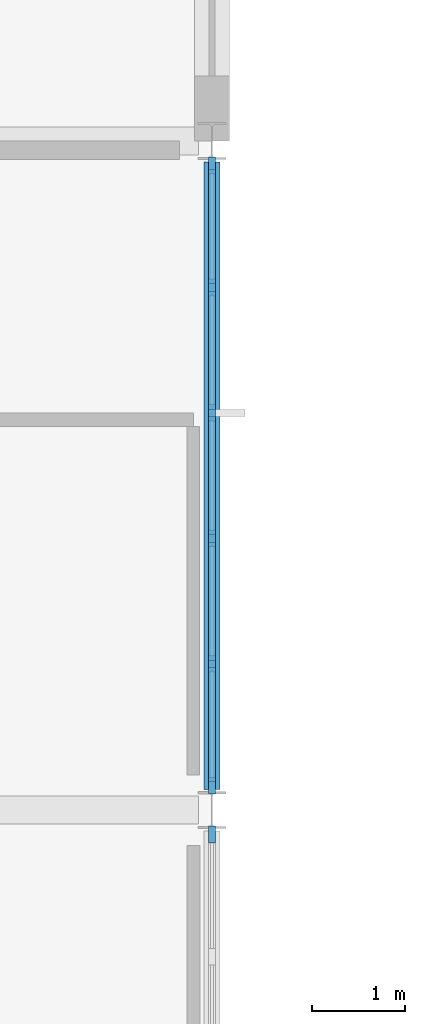
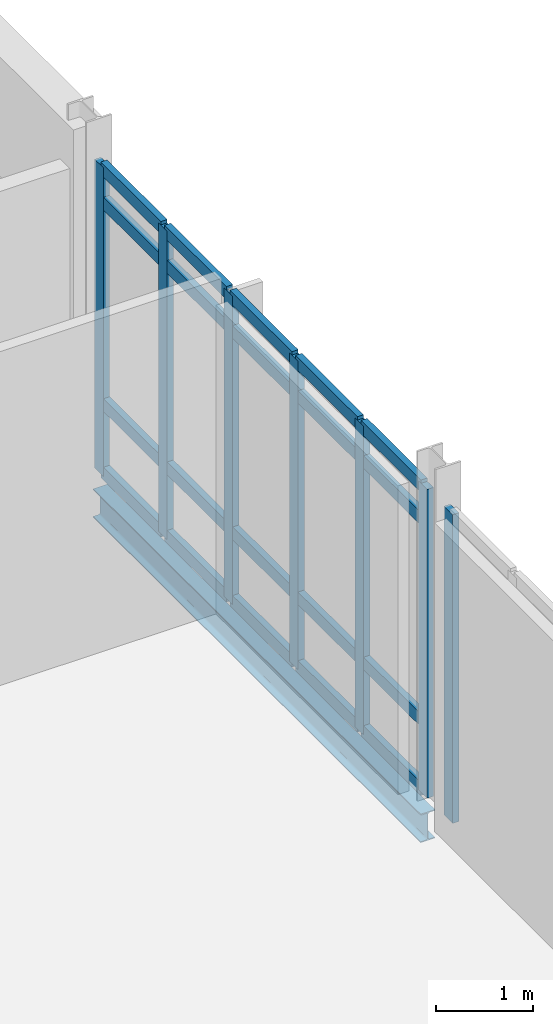
# One storey, part 33 of 72: 27 members, 1 beam, 2 elements without a shape of their own.
"""IFC4 building model written with IfcOpenShell, lengths in metres."""

from ifc_helpers import new_model, si_unit, direction, frame, origin, origin_2d, place, context, subcontext, project, spatial, rectangle, i_section, extrude, material, layer, layer_set, material_profile, profile_set, type_object, element, aggregate, save


model = new_model("IFC4")

# Units and contexts
model_context = context("Model", 3, precision=1e-05, world=origin(), true_north=direction((0.0, 1.0)))
body_context = subcontext(model_context, "Body", "Model", "MODEL_VIEW")
ifc_project = project(units=[si_unit("LENGTHUNIT", "METRE"), si_unit("AREAUNIT", "SQUARE_METRE"), si_unit("VOLUMEUNIT", "CUBIC_METRE"), si_unit("PLANEANGLEUNIT", "RADIAN"), si_unit("MASSUNIT", "GRAM", prefix="KILO")], contexts=[model_context])

# Site, building, storey
site_placement = place(None, origin())
site = spatial("IfcSite", under=ifc_project, at=site_placement, CompositionType="ELEMENT")
building_placement = place(site_placement, origin())
building = spatial("IfcBuilding", under=site, at=building_placement, Name="Zarrinpeak Specialist Clinic", CompositionType="ELEMENT")
storey_placement = place(building_placement, frame((0.0, 0.0, 9.60009765625)))
storey = spatial("IfcBuildingStorey", under=building, at=storey_placement, Name="L02", CompositionType="ELEMENT", Elevation=9.60009765625)

# Beam
ifc_material_1 = material(Name="Steel S355", Category="steel")
ifc_material_profile_1 = material_profile(ifc_material_1, i_section(OverallWidth=0.169921875, OverallDepth=0.360107421875, WebThickness=0.008056640625, FlangeThickness=0.0126953125, FilletRadius=0.01806640625, at=origin_2d()), Name="IPE 360")
ifc_profile_set_1 = profile_set([ifc_material_profile_1], Name="Steel S355")
beam_type = type_object("IfcBeamType", Name="BM-SP360", PredefinedType="SPANDREL", material=ifc_profile_set_1)
beam_placement = place(storey_placement, frame((64.800048828125, 96.623046875, -0.39501953125), z_axis=(0.0, 1.0, 0.0), x_axis=(-1.0, 0.0, 0.0)))
element("IfcBeam", 1, at=beam_placement, inside=storey, type_object=beam_type, Name="L02 Perimeter Spandrel Beam BM-L02-Y1312", PredefinedType="SPANDREL", context=body_context, shape_type="SweptSolid", body=[
    extrude(i_section(OverallWidth=0.169921875, OverallDepth=0.360107421875, WebThickness=0.008056640625, FlangeThickness=0.0126953125, FilletRadius=0.01806640625, at=origin_2d()), origin(), (0.0, 0.0, 1.0), 6.75390625),
])

# Curtain wall, member
ifc_material_2 = material(Name="Anodised Aluminium Alloy 6063-T6", Category="aluminium")
ifc_layer = layer(ifc_material_2, 0.1650390625)
ifc_layer_set = layer_set([ifc_layer], Name="Anodised Aluminium Alloy 6063-T6")
curtain_wall_type = type_object("IfcCurtainWallType", Name="CW-CLINIC", PredefinedType="NOTDEFINED", material=ifc_layer_set)
curtain_wall_1_placement = place(storey_placement, origin())
curtain_wall_1 = element("IfcCurtainWall", 2, at=curtain_wall_1_placement, inside=storey, type_object=curtain_wall_type, Name="L02 V6 Unitised Curtain Wall CW-L02-V6-145", PredefinedType="NOTDEFINED")
ifc_material_profile_2 = material_profile(ifc_material_2, rectangle(XDim=0.074951171875, YDim=0.179931640625, at=origin_2d()), Name="ALU 75x180")
ifc_profile_set_2 = profile_set([ifc_material_profile_2], Name="Anodised Aluminium Alloy 6063-T6")
member_type_1 = type_object("IfcMemberType", Name="CWM-75", PredefinedType="MULLION", material=ifc_profile_set_2)
member_1_placement = place(storey_placement, frame((64.800048828125, 96.137451171875, 0.0), z_axis=(0.0, 0.0, 1.0), x_axis=(-1.0, 0.0, 0.0)))
member_1 = element("IfcMember", 3, at=member_1_placement, type_object=member_type_1, Name="CW-03 mullion 6", PredefinedType="MULLION", context=body_context, shape_type="SweptSolid", body=[
    extrude(rectangle(XDim=0.074951171875, YDim=0.179931640625, at=origin_2d()), origin(), (0.0, 0.0, 1.0), 3.885009765625),
])
aggregate(curtain_wall_1, [member_1])

# Curtain wall, members
curtain_wall_2_placement = place(storey_placement, origin())
curtain_wall_2 = element("IfcCurtainWall", 4, at=curtain_wall_2_placement, inside=storey, type_object=curtain_wall_type, Name="L02 V6 Unitised Curtain Wall CW-L02-V6-146", PredefinedType="NOTDEFINED")
member_2_placement = place(storey_placement, frame((64.800048828125, 96.66259765625, 0.0), z_axis=(0.0, 0.0, 1.0), x_axis=(-1.0, 0.0, 0.0)))
member_2 = element("IfcMember", 5, at=member_2_placement, type_object=member_type_1, Name="CW-03 mullion 1", PredefinedType="MULLION", context=body_context, shape_type="SweptSolid", body=[
    extrude(rectangle(XDim=0.074951171875, YDim=0.179931640625, at=origin_2d()), origin(), (0.0, 0.0, 1.0), 3.885009765625),
])
member_3_placement = place(storey_placement, frame((64.800048828125, 97.97509765625, 0.0), z_axis=(0.0, 0.0, 1.0), x_axis=(-1.0, 0.0, 0.0)))
member_3 = element("IfcMember", 6, at=member_3_placement, type_object=member_type_1, Name="CW-03 mullion 2", PredefinedType="MULLION", context=body_context, shape_type="SweptSolid", body=[
    extrude(rectangle(XDim=0.074951171875, YDim=0.179931640625, at=origin_2d()), origin(), (0.0, 0.0, 1.0), 3.885009765625),
])
member_4_placement = place(storey_placement, frame((64.800048828125, 99.324951171875, 0.0), z_axis=(0.0, 0.0, 1.0), x_axis=(-1.0, 0.0, 0.0)))
member_4 = element("IfcMember", 7, at=member_4_placement, type_object=member_type_1, Name="CW-03 mullion 3", PredefinedType="MULLION", context=body_context, shape_type="SweptSolid", body=[
    extrude(rectangle(XDim=0.074951171875, YDim=0.179931640625, at=origin_2d()), origin(), (0.0, 0.0, 1.0), 3.885009765625),
])
member_5_placement = place(storey_placement, frame((64.800048828125, 100.675048828125, 0.0), z_axis=(0.0, 0.0, 1.0), x_axis=(-1.0, 0.0, 0.0)))
member_5 = element("IfcMember", 8, at=member_5_placement, type_object=member_type_1, Name="CW-03 mullion 4", PredefinedType="MULLION", context=body_context, shape_type="SweptSolid", body=[
    extrude(rectangle(XDim=0.074951171875, YDim=0.179931640625, at=origin_2d()), origin(), (0.0, 0.0, 1.0), 3.885009765625),
])
member_6_placement = place(storey_placement, frame((64.800048828125, 102.02490234375, 0.0), z_axis=(0.0, 0.0, 1.0), x_axis=(-1.0, 0.0, 0.0)))
member_6 = element("IfcMember", 9, at=member_6_placement, type_object=member_type_1, Name="CW-03 mullion 5", PredefinedType="MULLION", context=body_context, shape_type="SweptSolid", body=[
    extrude(rectangle(XDim=0.074951171875, YDim=0.179931640625, at=origin_2d()), origin(), (0.0, 0.0, 1.0), 3.885009765625),
])
member_7_placement = place(storey_placement, frame((64.800048828125, 103.33740234375, 0.0), z_axis=(0.0, 0.0, 1.0), x_axis=(-1.0, 0.0, 0.0)))
member_7 = element("IfcMember", 10, at=member_7_placement, type_object=member_type_1, Name="CW-03 mullion 6", PredefinedType="MULLION", context=body_context, shape_type="SweptSolid", body=[
    extrude(rectangle(XDim=0.074951171875, YDim=0.179931640625, at=origin_2d()), origin(), (0.0, 0.0, 1.0), 3.885009765625),
])
ifc_material_profile_3 = material_profile(ifc_material_2, rectangle(XDim=0.074951171875, YDim=0.159912109375, at=origin_2d()), Name="ALU 75x160")
ifc_profile_set_3 = profile_set([ifc_material_profile_3], Name="Anodised Aluminium Alloy 6063-T6")
member_type_2 = type_object("IfcMemberType", Name="CWT-75", PredefinedType="USERDEFINED", material=ifc_profile_set_3)
member_8_placement = place(storey_placement, frame((64.800048828125, 96.699951171875, 0.037353515625), z_axis=(0.0, 1.0, 0.0), x_axis=(-1.0, 0.0, 0.0)))
member_8 = element("IfcMember", 11, at=member_8_placement, type_object=member_type_2, Name="CW-03 transom 1.1", ObjectType="TRANSOM", PredefinedType="USERDEFINED", context=body_context, shape_type="SweptSolid", body=[
    extrude(rectangle(XDim=0.074951171875, YDim=0.159912109375, at=origin_2d()), origin(), (0.0, 0.0, 1.0), 1.237548828125),
])
member_9_placement = place(storey_placement, frame((64.800048828125, 96.699951171875, 0.89990234375), z_axis=(0.0, 1.0, 0.0), x_axis=(-1.0, 0.0, 0.0)))
member_9 = element("IfcMember", 12, at=member_9_placement, type_object=member_type_2, Name="CW-03 transom 1.2", ObjectType="TRANSOM", PredefinedType="USERDEFINED", context=body_context, shape_type="SweptSolid", body=[
    extrude(rectangle(XDim=0.074951171875, YDim=0.159912109375, at=origin_2d()), origin(), (0.0, 0.0, 1.0), 1.237548828125),
])
member_10_placement = place(storey_placement, frame((64.800048828125, 96.699951171875, 3.434814453125), z_axis=(0.0, 1.0, 0.0), x_axis=(-1.0, 0.0, 0.0)))
member_10 = element("IfcMember", 13, at=member_10_placement, type_object=member_type_2, Name="CW-03 transom 1.3", ObjectType="TRANSOM", PredefinedType="USERDEFINED", context=body_context, shape_type="SweptSolid", body=[
    extrude(rectangle(XDim=0.074951171875, YDim=0.159912109375, at=origin_2d()), origin(), (0.0, 0.0, 1.0), 1.237548828125),
])
member_11_placement = place(storey_placement, frame((64.800048828125, 96.699951171875, 3.847412109375), z_axis=(0.0, 1.0, 0.0), x_axis=(-1.0, 0.0, 0.0)))
member_11 = element("IfcMember", 14, at=member_11_placement, type_object=member_type_2, Name="CW-03 transom 1.4", ObjectType="TRANSOM", PredefinedType="USERDEFINED", context=body_context, shape_type="SweptSolid", body=[
    extrude(rectangle(XDim=0.074951171875, YDim=0.159912109375, at=origin_2d()), origin(), (0.0, 0.0, 1.0), 1.237548828125),
])
member_12_placement = place(storey_placement, frame((64.800048828125, 98.012451171875, 0.037353515625), z_axis=(0.0, 1.0, 0.0), x_axis=(-1.0, 0.0, 0.0)))
member_12 = element("IfcMember", 15, at=member_12_placement, type_object=member_type_2, Name="CW-03 transom 2.1", ObjectType="TRANSOM", PredefinedType="USERDEFINED", context=body_context, shape_type="SweptSolid", body=[
    extrude(rectangle(XDim=0.074951171875, YDim=0.159912109375, at=origin_2d()), origin(), (0.0, 0.0, 1.0), 1.275146484375),
])
member_13_placement = place(storey_placement, frame((64.800048828125, 98.012451171875, 0.89990234375), z_axis=(0.0, 1.0, 0.0), x_axis=(-1.0, 0.0, 0.0)))
member_13 = element("IfcMember", 16, at=member_13_placement, type_object=member_type_2, Name="CW-03 transom 2.2", ObjectType="TRANSOM", PredefinedType="USERDEFINED", context=body_context, shape_type="SweptSolid", body=[
    extrude(rectangle(XDim=0.074951171875, YDim=0.159912109375, at=origin_2d()), origin(), (0.0, 0.0, 1.0), 1.275146484375),
])
member_14_placement = place(storey_placement, frame((64.800048828125, 98.012451171875, 3.434814453125), z_axis=(0.0, 1.0, 0.0), x_axis=(-1.0, 0.0, 0.0)))
member_14 = element("IfcMember", 17, at=member_14_placement, type_object=member_type_2, Name="CW-03 transom 2.3", ObjectType="TRANSOM", PredefinedType="USERDEFINED", context=body_context, shape_type="SweptSolid", body=[
    extrude(rectangle(XDim=0.074951171875, YDim=0.159912109375, at=origin_2d()), origin(), (0.0, 0.0, 1.0), 1.275146484375),
])
member_15_placement = place(storey_placement, frame((64.800048828125, 98.012451171875, 3.847412109375), z_axis=(0.0, 1.0, 0.0), x_axis=(-1.0, 0.0, 0.0)))
member_15 = element("IfcMember", 18, at=member_15_placement, type_object=member_type_2, Name="CW-03 transom 2.4", ObjectType="TRANSOM", PredefinedType="USERDEFINED", context=body_context, shape_type="SweptSolid", body=[
    extrude(rectangle(XDim=0.074951171875, YDim=0.159912109375, at=origin_2d()), origin(), (0.0, 0.0, 1.0), 1.275146484375),
])
member_16_placement = place(storey_placement, frame((64.800048828125, 99.362548828125, 0.037353515625), z_axis=(0.0, 1.0, 0.0), x_axis=(-1.0, 0.0, 0.0)))
member_16 = element("IfcMember", 19, at=member_16_placement, type_object=member_type_2, Name="CW-03 transom 3.1", ObjectType="TRANSOM", PredefinedType="USERDEFINED", context=body_context, shape_type="SweptSolid", body=[
    extrude(rectangle(XDim=0.074951171875, YDim=0.159912109375, at=origin_2d()), origin(), (0.0, 0.0, 1.0), 1.27490234375),
])
member_17_placement = place(storey_placement, frame((64.800048828125, 99.362548828125, 0.89990234375), z_axis=(0.0, 1.0, 0.0), x_axis=(-1.0, 0.0, 0.0)))
member_17 = element("IfcMember", 20, at=member_17_placement, type_object=member_type_2, Name="CW-03 transom 3.2", ObjectType="TRANSOM", PredefinedType="USERDEFINED", context=body_context, shape_type="SweptSolid", body=[
    extrude(rectangle(XDim=0.074951171875, YDim=0.159912109375, at=origin_2d()), origin(), (0.0, 0.0, 1.0), 1.27490234375),
])
member_18_placement = place(storey_placement, frame((64.800048828125, 99.362548828125, 3.434814453125), z_axis=(0.0, 1.0, 0.0), x_axis=(-1.0, 0.0, 0.0)))
member_18 = element("IfcMember", 21, at=member_18_placement, type_object=member_type_2, Name="CW-03 transom 3.3", ObjectType="TRANSOM", PredefinedType="USERDEFINED", context=body_context, shape_type="SweptSolid", body=[
    extrude(rectangle(XDim=0.074951171875, YDim=0.159912109375, at=origin_2d()), origin(), (0.0, 0.0, 1.0), 1.27490234375),
])
member_19_placement = place(storey_placement, frame((64.800048828125, 99.362548828125, 3.847412109375), z_axis=(0.0, 1.0, 0.0), x_axis=(-1.0, 0.0, 0.0)))
member_19 = element("IfcMember", 22, at=member_19_placement, type_object=member_type_2, Name="CW-03 transom 3.4", ObjectType="TRANSOM", PredefinedType="USERDEFINED", context=body_context, shape_type="SweptSolid", body=[
    extrude(rectangle(XDim=0.074951171875, YDim=0.159912109375, at=origin_2d()), origin(), (0.0, 0.0, 1.0), 1.27490234375),
])
member_20_placement = place(storey_placement, frame((64.800048828125, 100.71240234375, 0.037353515625), z_axis=(0.0, 1.0, 0.0), x_axis=(-1.0, 0.0, 0.0)))
member_20 = element("IfcMember", 23, at=member_20_placement, type_object=member_type_2, Name="CW-03 transom 4.1", ObjectType="TRANSOM", PredefinedType="USERDEFINED", context=body_context, shape_type="SweptSolid", body=[
    extrude(rectangle(XDim=0.074951171875, YDim=0.159912109375, at=origin_2d()), origin(), (0.0, 0.0, 1.0), 1.275146484375),
])
member_21_placement = place(storey_placement, frame((64.800048828125, 100.71240234375, 0.89990234375), z_axis=(0.0, 1.0, 0.0), x_axis=(-1.0, 0.0, 0.0)))
member_21 = element("IfcMember", 24, at=member_21_placement, type_object=member_type_2, Name="CW-03 transom 4.2", ObjectType="TRANSOM", PredefinedType="USERDEFINED", context=body_context, shape_type="SweptSolid", body=[
    extrude(rectangle(XDim=0.074951171875, YDim=0.159912109375, at=origin_2d()), origin(), (0.0, 0.0, 1.0), 1.275146484375),
])
member_22_placement = place(storey_placement, frame((64.800048828125, 100.71240234375, 3.434814453125), z_axis=(0.0, 1.0, 0.0), x_axis=(-1.0, 0.0, 0.0)))
member_22 = element("IfcMember", 25, at=member_22_placement, type_object=member_type_2, Name="CW-03 transom 4.3", ObjectType="TRANSOM", PredefinedType="USERDEFINED", context=body_context, shape_type="SweptSolid", body=[
    extrude(rectangle(XDim=0.074951171875, YDim=0.159912109375, at=origin_2d()), origin(), (0.0, 0.0, 1.0), 1.275146484375),
])
member_23_placement = place(storey_placement, frame((64.800048828125, 100.71240234375, 3.847412109375), z_axis=(0.0, 1.0, 0.0), x_axis=(-1.0, 0.0, 0.0)))
member_23 = element("IfcMember", 26, at=member_23_placement, type_object=member_type_2, Name="CW-03 transom 4.4", ObjectType="TRANSOM", PredefinedType="USERDEFINED", context=body_context, shape_type="SweptSolid", body=[
    extrude(rectangle(XDim=0.074951171875, YDim=0.159912109375, at=origin_2d()), origin(), (0.0, 0.0, 1.0), 1.275146484375),
])
member_24_placement = place(storey_placement, frame((64.800048828125, 102.0625, 0.037353515625), z_axis=(0.0, 1.0, 0.0), x_axis=(-1.0, 0.0, 0.0)))
member_24 = element("IfcMember", 27, at=member_24_placement, type_object=member_type_2, Name="CW-03 transom 5.1", ObjectType="TRANSOM", PredefinedType="USERDEFINED", context=body_context, shape_type="SweptSolid", body=[
    extrude(rectangle(XDim=0.074951171875, YDim=0.159912109375, at=origin_2d()), origin(), (0.0, 0.0, 1.0), 1.237548828125),
])
member_25_placement = place(storey_placement, frame((64.800048828125, 102.0625, 0.89990234375), z_axis=(0.0, 1.0, 0.0), x_axis=(-1.0, 0.0, 0.0)))
member_25 = element("IfcMember", 28, at=member_25_placement, type_object=member_type_2, Name="CW-03 transom 5.2", ObjectType="TRANSOM", PredefinedType="USERDEFINED", context=body_context, shape_type="SweptSolid", body=[
    extrude(rectangle(XDim=0.074951171875, YDim=0.159912109375, at=origin_2d()), origin(), (0.0, 0.0, 1.0), 1.237548828125),
])
member_26_placement = place(storey_placement, frame((64.800048828125, 102.0625, 3.434814453125), z_axis=(0.0, 1.0, 0.0), x_axis=(-1.0, 0.0, 0.0)))
member_26 = element("IfcMember", 29, at=member_26_placement, type_object=member_type_2, Name="CW-03 transom 5.3", ObjectType="TRANSOM", PredefinedType="USERDEFINED", context=body_context, shape_type="SweptSolid", body=[
    extrude(rectangle(XDim=0.074951171875, YDim=0.159912109375, at=origin_2d()), origin(), (0.0, 0.0, 1.0), 1.237548828125),
])
member_27_placement = place(storey_placement, frame((64.800048828125, 102.0625, 3.847412109375), z_axis=(0.0, 1.0, 0.0), x_axis=(-1.0, 0.0, 0.0)))
member_27 = element("IfcMember", 30, at=member_27_placement, type_object=member_type_2, Name="CW-03 transom 5.4", ObjectType="TRANSOM", PredefinedType="USERDEFINED", context=body_context, shape_type="SweptSolid", body=[
    extrude(rectangle(XDim=0.074951171875, YDim=0.159912109375, at=origin_2d()), origin(), (0.0, 0.0, 1.0), 1.237548828125),
])
aggregate(curtain_wall_2, [member_2, member_3, member_4, member_5, member_6, member_7, member_8, member_9, member_10, member_11, member_12, member_13, member_14, member_15, member_16, member_17, member_18, member_19, member_20, member_21, member_22, member_23, member_24, member_25, member_26, member_27])

save(model, "model.ifc")
